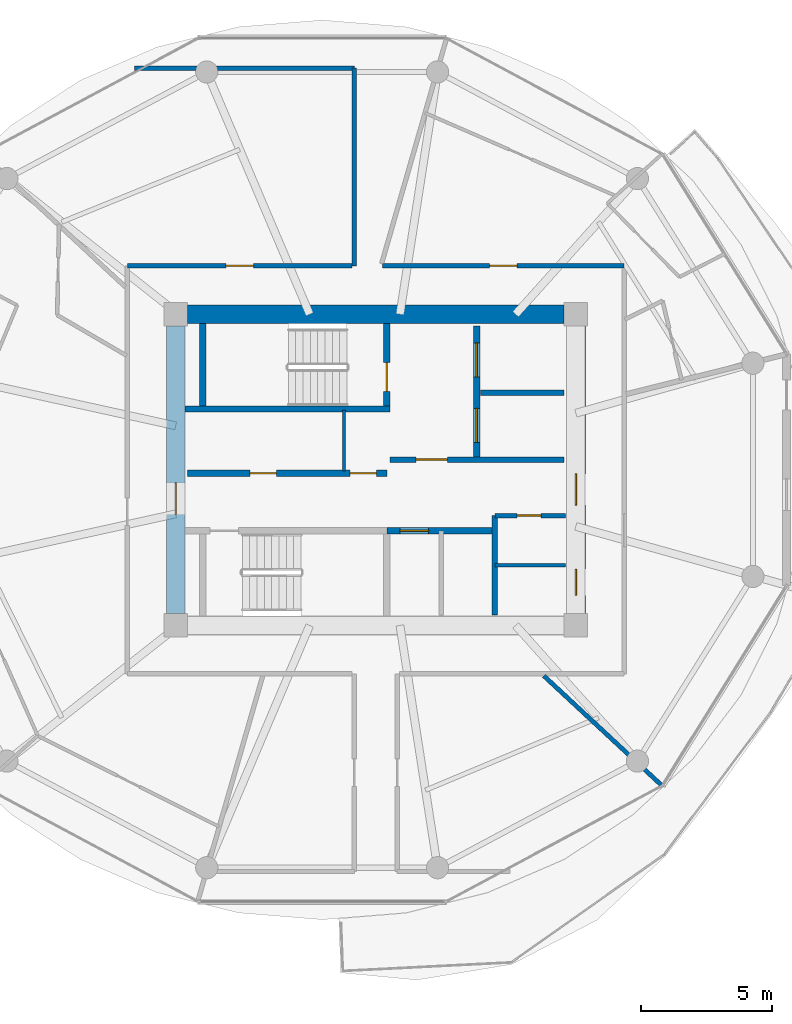
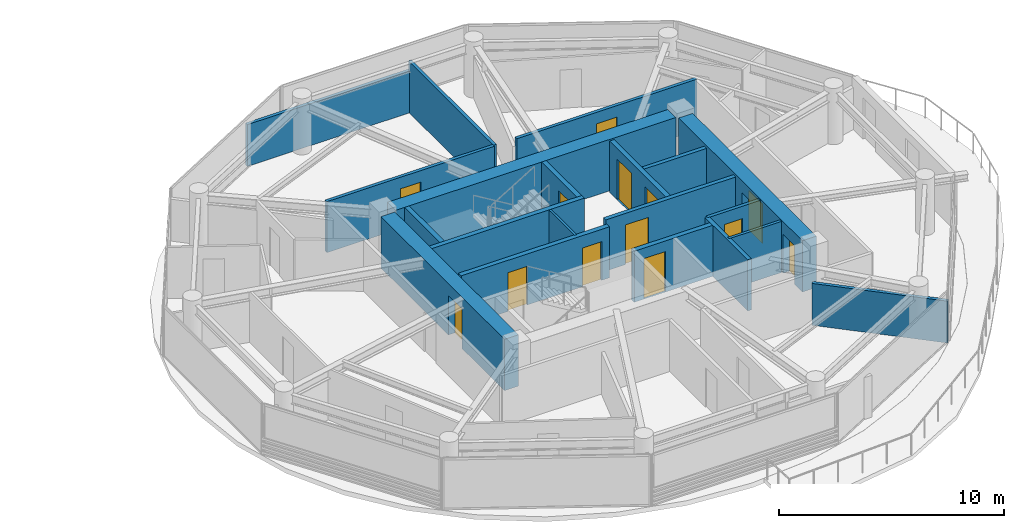
# One storey, part 16 of 23: 20 walls, 13 doors, 13 openings.
"""IFC4 building model written with IfcOpenShell, lengths in metres."""

import ifcopenshell
import ifcopenshell.guid

model = None  # the IFC model being written
_history = None  # IfcOwnerHistory: only IFC2X3 demands one
_inside = {}  # id of a spatial element -> (the spatial element, [elements in it])
_under = {}  # id of a project, library or spatial element -> (it, [spatial elements below it])
_declared = {}  # id of a project -> (the project, [libraries it declares])
_typed = {}  # id of a type object -> (the type object, [elements of that type])
_made_of = {}  # id of a material, layer set ... -> (it, [elements and type objects made of it])


def new_model(schema):
    """Start an empty IFC model of exactly this schema.

    Asked for "IFC4X3", IfcOpenShell would pick the latest addendum, in which some entities
    have other attributes; the version numbers below select the first issue.
    IFC2X3 requires an IfcOwnerHistory on every rooted entity: one is made here for all.
    """
    global model, _history
    if schema == "IFC4X3":
        model = ifcopenshell.file(schema_version=(4, 3, 0, 0))
    else:
        model = ifcopenshell.file(schema=schema)
    _inside.clear()
    _under.clear()
    _declared.clear()
    _typed.clear()
    _made_of.clear()
    _history = None
    if model.schema == "IFC2X3":
        org = make("IfcOrganization", Name="unknown")
        user = make(
            "IfcPersonAndOrganization",
            ThePerson=make("IfcPerson", FamilyName="unknown"),
            TheOrganization=org,
        )
        app = make(
            "IfcApplication",
            ApplicationDeveloper=org,
            Version="unknown",
            ApplicationFullName="unknown",
            ApplicationIdentifier="unknown",
        )
        _history = make(
            "IfcOwnerHistory",
            OwningUser=user,
            OwningApplication=app,
            ChangeAction="ADDED",
            CreationDate=0,
        )
    return model


def make(cls, **values):
    """One entity of the class cls with the attributes given. An attribute that is None is left unset."""
    return model.create_entity(
        cls, **{name: value for name, value in values.items() if value is not None}
    )


def rooted(cls, **values):
    """An entity with a GlobalId (a new one), such as an element, a storey or a relation."""
    return make(cls, GlobalId=ifcopenshell.guid.new(), OwnerHistory=_history, **values)


def si_unit(unit_type, name, prefix=None):
    """IfcSIUnit, for example si_unit("LENGTHUNIT", "METRE", prefix="MILLI")."""
    return make("IfcSIUnit", UnitType=unit_type, Prefix=prefix, Name=name)


def assignment(units):
    """IfcUnitAssignment: the units of a project."""
    return None if units is None else make("IfcUnitAssignment", Units=units)


def point(xyz):
    """IfcCartesianPoint."""
    return None if xyz is None else make("IfcCartesianPoint", Coordinates=xyz)


def direction(xyz):
    """IfcDirection."""
    return None if xyz is None else make("IfcDirection", DirectionRatios=xyz)


def frame(location, z_axis=None, x_axis=None):
    """IfcAxis2Placement3D, a coordinate frame: its origin and axes. An axis left out is left unset."""
    return make(
        "IfcAxis2Placement3D",
        Location=point(location),
        Axis=direction(z_axis),
        RefDirection=direction(x_axis),
    )


def frame_2d(location, x_axis=None):
    """IfcAxis2Placement2D, a coordinate frame in the plane: its origin and x axis."""
    return make(
        "IfcAxis2Placement2D", Location=point(location), RefDirection=direction(x_axis)
    )


def origin():
    """The frame at (0, 0, 0) with its axes left unset."""
    return frame((0.0, 0.0, 0.0))


def place(relative_to, where):
    """IfcLocalPlacement: puts the frame where relative to a parent placement (None: the world)."""
    return make(
        "IfcLocalPlacement", PlacementRelTo=relative_to, RelativePlacement=where
    )


def context(
    kind, dimensions, precision=None, world=None, true_north=None, identifier=None
):
    """IfcGeometricRepresentationContext, for example the 3D "Model" context."""
    return make(
        "IfcGeometricRepresentationContext",
        ContextIdentifier=identifier,
        ContextType=kind,
        CoordinateSpaceDimension=dimensions,
        Precision=precision,
        WorldCoordinateSystem=world,
        TrueNorth=true_north,
    )


def subcontext(parent, identifier, kind, view, scale=None):
    """IfcGeometricRepresentationSubContext, for example "Body" below "Model"."""
    return make(
        "IfcGeometricRepresentationSubContext",
        ContextIdentifier=identifier,
        ContextType=kind,
        ParentContext=parent,
        TargetScale=scale,
        TargetView=view,
    )


def project(units=None, contexts=None):
    """IfcProject with its units and contexts."""
    return rooted(
        "IfcProject",
        Name="project",
        RepresentationContexts=contexts,
        UnitsInContext=assignment(units),
    )


def spatial(cls, under=None, at=None, **own):
    """A site, building, storey or space (cls), placed at a placement, below another one or the project."""
    s = rooted(cls, ObjectPlacement=at, **own)
    if under is not None:
        _under.setdefault(under.id(), (under, []))[1].append(s)
    return s


def profile(cls, at=None, kind="AREA", **sizes):
    """A parametric profile (cls). Its sizes go by their IFC names, for example OverallWidth=200.0."""
    return make(cls, ProfileType=kind, Position=at, **sizes)


def rectangle(**sizes):
    """IfcRectangleProfileDef."""
    return profile("IfcRectangleProfileDef", **sizes)


def extrude(swept, where, along, depth):
    """IfcExtrudedAreaSolid: the profile swept, set in the frame where, extruded along a direction by depth."""
    return make(
        "IfcExtrudedAreaSolid",
        SweptArea=swept,
        Position=where,
        ExtrudedDirection=direction(along),
        Depth=depth,
    )


def shape(context_of_items, identifier, shape_type, items):
    """IfcShapeRepresentation: the items that make up one representation, for example the "Body"."""
    return make(
        "IfcShapeRepresentation",
        ContextOfItems=context_of_items,
        RepresentationIdentifier=identifier,
        RepresentationType=shape_type,
        Items=items,
    )


def source(mapping_origin, context_of_items, identifier, shape_type, items):
    """IfcRepresentationMap: a shape defined once, which mapped items show again and again."""
    return make(
        "IfcRepresentationMap",
        MappingOrigin=mapping_origin,
        MappedRepresentation=shape(context_of_items, identifier, shape_type, items),
    )


def transform(
    local_origin,
    x_axis=None,
    y_axis=None,
    z_axis=None,
    scale=None,
    scale2=None,
    scale3=None,
    uniform=True,
):
    """IfcCartesianTransformationOperator3D, or its non-uniform kind. x_axis, y_axis, z_axis: its Axis1, 2, 3."""
    if uniform:
        return make(
            "IfcCartesianTransformationOperator3D",
            Axis1=direction(x_axis),
            Axis2=direction(y_axis),
            LocalOrigin=point(local_origin),
            Scale=scale,
            Axis3=direction(z_axis),
        )
    return make(
        "IfcCartesianTransformationOperator3DnonUniform",
        Axis1=direction(x_axis),
        Axis2=direction(y_axis),
        LocalOrigin=point(local_origin),
        Scale=scale,
        Axis3=direction(z_axis),
        Scale2=scale2,
        Scale3=scale3,
    )


def mapped(mapping_source, mapping_target):
    """IfcMappedItem: shows the shape of a source again, moved by a transform."""
    return make(
        "IfcMappedItem", MappingSource=mapping_source, MappingTarget=mapping_target
    )


def material(Name=None, Category=None):
    """IfcMaterial."""
    return make("IfcMaterial", Name=Name, Category=Category)


def layer(
    of_material, thickness, ventilated=None, Name=None, Category=None, Priority=None
):
    """IfcMaterialLayer: one layer of a wall or slab, of a material (None: an air gap)."""
    return make(
        "IfcMaterialLayer",
        Material=of_material,
        LayerThickness=thickness,
        IsVentilated=ventilated,
        Name=Name,
        Category=Category,
        Priority=Priority,
    )


def layer_set(layers, Name=None):
    """IfcMaterialLayerSet."""
    return make("IfcMaterialLayerSet", MaterialLayers=layers, LayerSetName=Name)


def made_of(thing, what):
    """Note that an element or type object is made of a material, layer set ...; save() writes the relation."""
    if what is not None:
        _made_of.setdefault(what.id(), (what, []))[1].append(thing)
    return thing


def type_object(cls, material=None, **own):
    """A type object (cls), such as IfcWallType, which elements share."""
    return made_of(rooted(cls, **own), material)


def type_shapes(of_type, sources):
    """Give a type object the sources (RepresentationMaps) that its elements show as mapped items."""
    of_type.RepresentationMaps = sources


def element(
    cls,
    number,
    at=None,
    inside=None,
    cuts=None,
    type_object=None,
    material=None,
    context=None,
    identifier="Body",
    shape_type=None,
    held_by="IfcProductDefinitionShape",
    body=None,
    shapes=None,
    **own,
):
    """One element of the class cls, such as IfcWall. Its Tag is "e" and its number.

    at: its placement. inside: the storey or other place that contains it. cuts: it is an
    opening in that element (IfcRelVoidsElement). A single representation is given by context,
    identifier, shape_type and body (its items); several are given by shapes. held_by: the class
    of the entity that holds the representations. save() writes the other relations.
    """
    e = rooted(cls, Tag="e%d" % number, ObjectPlacement=at, **own)
    if body is not None:
        shapes = [shape(context, identifier, shape_type, body)]
    if shapes is not None:
        e.Representation = make(held_by, Representations=shapes)
    if inside is not None:
        _inside.setdefault(inside.id(), (inside, []))[1].append(e)
    if cuts is not None:
        rooted(
            "IfcRelVoidsElement", RelatingBuildingElement=cuts, RelatedOpeningElement=e
        )
    if type_object is not None:
        _typed.setdefault(type_object.id(), (type_object, []))[1].append(e)
    return made_of(e, material)


def fill(opening, filler):
    """IfcRelFillsElement: the door or window that sits in an opening."""
    return rooted(
        "IfcRelFillsElement",
        RelatingOpeningElement=opening,
        RelatedBuildingElement=filler,
    )


def aggregate(whole, parts):
    """IfcRelAggregates: a whole, such as a stair, and the parts it consists of."""
    return rooted("IfcRelAggregates", RelatingObject=whole, RelatedObjects=parts)


def save(model, path):
    """Write the relations noted so far, then the file.

    IfcRelAggregates (storeys below a building ...), IfcRelContainedInSpatialStructure (elements
    in a storey), IfcRelDefinesByType, IfcRelAssociatesMaterial and IfcRelDeclares: one each for
    every whole, place, type object, material and project.
    """
    for whole, parts in _under.values():
        aggregate(whole, parts)
    for where, things in _inside.values():
        rooted(
            "IfcRelContainedInSpatialStructure",
            RelatedElements=things,
            RelatingStructure=where,
        )
    for kind, things in _typed.values():
        rooted("IfcRelDefinesByType", RelatedObjects=things, RelatingType=kind)
    for what, things in _made_of.values():
        rooted("IfcRelAssociatesMaterial", RelatedObjects=things, RelatingMaterial=what)
    for by, libraries in _declared.values():
        rooted("IfcRelDeclares", RelatingContext=by, RelatedDefinitions=libraries)
    model.write(path)


model = new_model("IFC4")

# Units and contexts
model_context = context("Model", 3, precision=1e-05, world=origin(), true_north=direction((0.0, 1.0)))
body_context = subcontext(model_context, "Body", "Model", "MODEL_VIEW")
ifc_project = project(units=[si_unit("LENGTHUNIT", "METRE"), si_unit("AREAUNIT", "SQUARE_METRE"), si_unit("VOLUMEUNIT", "CUBIC_METRE"), si_unit("PLANEANGLEUNIT", "RADIAN"), si_unit("MASSUNIT", "GRAM", prefix="KILO")], contexts=[model_context])

# Site, building, storey
site_placement = place(None, origin())
site = spatial("IfcSite", under=ifc_project, at=site_placement, CompositionType="ELEMENT")
building_placement = place(site_placement, origin())
building = spatial("IfcBuilding", under=site, at=building_placement, Name="Norrkilde Senior Care Towers", CompositionType="ELEMENT")
storey_placement = place(building_placement, frame((0.0, 0.0, 93.199951171875)))
storey = spatial("IfcBuildingStorey", under=building, at=storey_placement, Name="L28", CompositionType="ELEMENT", Elevation=93.199951171875)

# Wall
ifc_material_1 = material(Name="Concrete C60/75", Category="concrete")
ifc_layer_1 = layer(ifc_material_1, 0.719970703125)
ifc_layer_set_1 = layer_set([ifc_layer_1], Name="Concrete C60/75")
wall_type_1 = type_object("IfcWallType", Name="Core Shear Wall Z2 720", PredefinedType="SHEAR", material=ifc_layer_set_1)
shared_shape_1 = source(origin(), body_context, "Body", "SweptSolid", [
    extrude(rectangle(XDim=14.39990234375, YDim=0.719970703125, at=frame_2d((7.199951171875, 0.0))), origin(), (0.0, 0.0, 1.0), 2.7900390625),
])
wall_1_placement = place(storey_placement, frame((20.800048828125, 5.949951171875, 0.0), z_axis=(0.0, 0.0, 1.0), x_axis=(1.0, 0.0, 0.0)))
element("IfcWall", 1, at=wall_1_placement, inside=storey, type_object=wall_type_1, Name="L28 Core E North Shear Wall", PredefinedType="SHEAR", context=body_context, shape_type="MappedRepresentation", body=[
    mapped(shared_shape_1, transform((0.0, 0.0, 0.0), x_axis=(1.0, 0.0, 0.0), y_axis=(0.0, 1.0, 0.0), z_axis=(0.0, 0.0, 1.0), scale=1.0)),
])

# Wall, opening, door
shared_shape_2 = source(origin(), body_context, "Body", "SweptSolid", [
    extrude(rectangle(XDim=11.0, YDim=0.719970703125, at=frame_2d((5.5, 0.0))), origin(), (0.0, 0.0, 1.0), 2.7900390625),
])
type_shapes(wall_type_1, [shared_shape_1, shared_shape_2])
wall_2_placement = place(storey_placement, frame((20.35009765625, -5.5, 0.0), z_axis=(0.0, 0.0, 1.0), x_axis=(0.0, 1.0, 0.0)))
wall_2 = element("IfcWall", 2, at=wall_2_placement, inside=storey, type_object=wall_type_1, Name="L28 Core E West Shear Wall", PredefinedType="SHEAR", context=body_context, shape_type="MappedRepresentation", body=[
    mapped(shared_shape_2, transform((0.0, 0.0, 0.0), x_axis=(1.0, 0.0, 0.0), y_axis=(0.0, 1.0, 0.0), z_axis=(0.0, 0.0, 1.0), scale=1.0)),
])
opening_1_placement = place(wall_2_placement, frame((3.800048828125, 0.0, 0.0)))
opening_1 = element("IfcOpeningElement", 3, at=opening_1_placement, cuts=wall_2, Name="Opening D-04", PredefinedType="OPENING", context=body_context, shape_type="SweptSolid", body=[
    extrude(rectangle(XDim=1.199951171875, YDim=2.14990234375, at=frame_2d((0.60009765625, 1.074951171875))), frame((0.0, 0.369873046875, 0.0), z_axis=(0.0, -1.0, 0.0), x_axis=(1.0, 0.0, 0.0)), (0.0, 0.0, 1.0), 0.739990234375),
])
ifc_material_2 = material(Name="Galvanised Painted Steel", Category="steel")
door_type_1 = type_object("IfcDoorType", Name="Firefighting Lobby Fire Door 1200x2150", OperationType="NOTDEFINED", PredefinedType="DOOR", material=ifc_material_2)
shared_shape_3 = source(origin(), body_context, "Body", "SweptSolid", [
    extrude(rectangle(XDim=1.199951171875, YDim=2.14990234375, at=frame_2d((0.60009765625, 1.074951171875))), frame((0.0, 0.02490234375, 0.0), z_axis=(0.0, -1.0, 0.0), x_axis=(1.0, 0.0, 0.0)), (0.0, 0.0, 1.0), 0.050048828125),
])
type_shapes(door_type_1, [shared_shape_3])
door_1_placement = place(opening_1_placement, frame((1.199951171875, 0.0, 0.0), z_axis=(0.0, 0.0, 1.0), x_axis=(-1.0, 0.0, 0.0)))
door_1 = element("IfcDoor", 4, at=door_1_placement, inside=storey, type_object=door_type_1, Name="L28 Core E West Portal Door", OperationType="SINGLE_SWING_LEFT", OverallHeight=2.14990234375, OverallWidth=1.199951171875, PredefinedType="DOOR", context=body_context, shape_type="MappedRepresentation", body=[
    mapped(shared_shape_3, transform((0.0, 0.0, 0.0), x_axis=(1.0, 0.0, 0.0), y_axis=(0.0, 1.0, 0.0), z_axis=(0.0, 0.0, 1.0), scale=1.0)),
])
fill(opening_1, door_1)

# Wall, openings, doors
wall_3_placement = place(storey_placement, frame((35.64990234375, 5.5, 0.0), z_axis=(0.0, 0.0, 1.0), x_axis=(0.0, -1.0, 0.0)))
wall_3 = element("IfcWall", 5, at=wall_3_placement, inside=storey, type_object=wall_type_1, Name="L28 Core E East Shear Wall", PredefinedType="SHEAR", context=body_context, shape_type="MappedRepresentation", body=[
    mapped(shared_shape_2, transform((0.0, 0.0, 0.0), x_axis=(1.0, 0.0, 0.0), y_axis=(0.0, 1.0, 0.0), z_axis=(0.0, 0.0, 1.0), scale=1.0)),
])
opening_2_placement = place(wall_3_placement, frame((5.64990234375, 0.0, 0.0)))
opening_2 = element("IfcOpeningElement", 6, at=opening_2_placement, cuts=wall_3, Name="Opening D-04", PredefinedType="OPENING", context=body_context, shape_type="SweptSolid", body=[
    extrude(rectangle(XDim=1.199951171875, YDim=2.14990234375, at=frame_2d((0.60009765625, 1.074951171875))), frame((0.0, 0.369873046875, 0.0), z_axis=(0.0, -1.0, 0.0), x_axis=(1.0, 0.0, 0.0)), (0.0, 0.0, 1.0), 0.739990234375),
])
opening_3_placement = place(wall_3_placement, frame((9.300048828125, 0.0, 0.0)))
opening_3 = element("IfcOpeningElement", 7, at=opening_3_placement, cuts=wall_3, Name="Opening D-10", PredefinedType="OPENING", context=body_context, shape_type="SweptSolid", body=[
    extrude(rectangle(XDim=1.0, YDim=2.10009765625, at=frame_2d((0.5, 1.050048828125))), frame((0.0, 0.369873046875, 0.0), z_axis=(0.0, -1.0, 0.0), x_axis=(1.0, 0.0, 0.0)), (0.0, 0.0, 1.0), 0.739990234375),
])
door_2_placement = place(opening_2_placement, frame((1.199951171875, 0.0, 0.0), z_axis=(0.0, 0.0, 1.0), x_axis=(-1.0, 0.0, 0.0)))
door_2 = element("IfcDoor", 8, at=door_2_placement, inside=storey, type_object=door_type_1, Name="L28 Core E East Portal Door", OperationType="SINGLE_SWING_RIGHT", OverallHeight=2.14990234375, OverallWidth=1.199951171875, PredefinedType="DOOR", context=body_context, shape_type="MappedRepresentation", body=[
    mapped(shared_shape_3, transform((0.0, 0.0, 0.0), x_axis=(1.0, 0.0, 0.0), y_axis=(0.0, 1.0, 0.0), z_axis=(0.0, 0.0, 1.0), scale=1.0)),
])
fill(opening_2, door_2)
door_type_2 = type_object("IfcDoorType", Name="Plant and Riser Rated Door 1000x2100", OperationType="NOTDEFINED", PredefinedType="DOOR", material=ifc_material_2)
shared_shape_4 = source(origin(), body_context, "Body", "SweptSolid", [
    extrude(rectangle(XDim=1.0, YDim=2.10009765625, at=frame_2d((0.5, 1.050048828125))), frame((0.0, 0.02490234375, 0.0), z_axis=(0.0, -1.0, 0.0), x_axis=(1.0, 0.0, 0.0)), (0.0, 0.0, 1.0), 0.050048828125),
])
type_shapes(door_type_2, [shared_shape_4])
door_3_placement = place(opening_3_placement, frame((1.0, 0.0, 0.0), z_axis=(0.0, 0.0, 1.0), x_axis=(-1.0, 0.0, 0.0)))
door_3 = element("IfcDoor", 9, at=door_3_placement, inside=storey, type_object=door_type_2, Name="L28 Ventilation Riser E Door", OperationType="SINGLE_SWING_RIGHT", OverallHeight=2.10009765625, OverallWidth=1.0, PredefinedType="DOOR", context=body_context, shape_type="MappedRepresentation", body=[
    mapped(shared_shape_4, transform((0.0, 0.0, 0.0), x_axis=(1.0, 0.0, 0.0), y_axis=(0.0, 1.0, 0.0), z_axis=(0.0, 0.0, 1.0), scale=1.0)),
])
fill(opening_3, door_3)

ifc_material_3 = material(Name="Concrete C45/55", Category="concrete")
ifc_layer_2 = layer(ifc_material_3, 0.239990234375)
ifc_layer_set_2 = layer_set([ifc_layer_2], Name="Concrete C45/55")
wall_type_2 = type_object("IfcWallType", Name="Lift and Plant Rated Enclosure Partition 240", PredefinedType="PARTITIONING", material=ifc_layer_set_2)
shared_shape_5 = source(origin(), body_context, "Body", "SweptSolid", [
    extrude(rectangle(XDim=5.0, YDim=0.239990234375, at=frame_2d((2.5, 0.0))), origin(), (0.0, 0.0, 1.0), 2.775146484375),
])
wall_4_placement = place(storey_placement, frame((31.860107421875, 0.5, 0.0), z_axis=(0.0, 0.0, 1.0), x_axis=(0.0, 1.0, 0.0)))
wall_4 = element("IfcWall", 10, at=wall_4_placement, inside=storey, type_object=wall_type_2, Name="WL-INT-L28-E-FFLE", PredefinedType="PARTITIONING", context=body_context, shape_type="MappedRepresentation", body=[
    mapped(shared_shape_5, transform((0.0, 0.0, 0.0), x_axis=(1.0, 0.0, 0.0), y_axis=(0.0, 1.0, 0.0), z_axis=(0.0, 0.0, 1.0), scale=1.0)),
])
opening_4_placement = place(wall_4_placement, frame((3.050048828125, 0.0, 0.0)))
opening_4 = element("IfcOpeningElement", 11, at=opening_4_placement, cuts=wall_4, Name="Opening LD-02", PredefinedType="OPENING", context=body_context, shape_type="SweptSolid", body=[
    extrude(rectangle(XDim=1.300048828125, YDim=2.199951171875, at=frame_2d((0.64990234375, 1.10009765625))), frame((0.0, 0.1298828125, 0.0), z_axis=(0.0, -1.0, 0.0), x_axis=(1.0, 0.0, 0.0)), (0.0, 0.0, 1.0), 0.260009765625),
])
opening_5_placement = place(wall_4_placement, frame((0.550048828125, 0.0, 0.0)))
opening_5 = element("IfcOpeningElement", 12, at=opening_5_placement, cuts=wall_4, Name="Opening LD-02", PredefinedType="OPENING", context=body_context, shape_type="SweptSolid", body=[
    extrude(rectangle(XDim=1.300048828125, YDim=2.199951171875, at=frame_2d((0.64990234375, 1.10009765625))), frame((0.0, 0.1298828125, 0.0), z_axis=(0.0, -1.0, 0.0), x_axis=(1.0, 0.0, 0.0)), (0.0, 0.0, 1.0), 0.260009765625),
])
ifc_material_4 = material(Name="Stainless Steel", Category="steel")
door_type_3 = type_object("IfcDoorType", Name="Stretcher and FFL Landing Sliding Door 1300x2200", OperationType="NOTDEFINED", PredefinedType="DOOR", material=ifc_material_4)
shared_shape_6 = source(origin(), body_context, "Body", "SweptSolid", [
    extrude(rectangle(XDim=1.300048828125, YDim=2.199951171875, at=frame_2d((0.64990234375, 1.10009765625))), frame((0.0, 0.02490234375, 0.0), z_axis=(0.0, -1.0, 0.0), x_axis=(1.0, 0.0, 0.0)), (0.0, 0.0, 1.0), 0.050048828125),
])
type_shapes(door_type_3, [shared_shape_6])
door_4_placement = place(opening_4_placement, origin())
door_4 = element("IfcDoor", 13, at=door_4_placement, inside=storey, type_object=door_type_3, Name="L28 Firefighting Lift E1 Landing Door", OperationType="SLIDING_TO_LEFT", OverallHeight=2.199951171875, OverallWidth=1.300048828125, PredefinedType="DOOR", context=body_context, shape_type="MappedRepresentation", body=[
    mapped(shared_shape_6, transform((0.0, 0.0, 0.0), x_axis=(1.0, 0.0, 0.0), y_axis=(0.0, 1.0, 0.0), z_axis=(0.0, 0.0, 1.0), scale=1.0)),
])
fill(opening_4, door_4)
door_5_placement = place(opening_5_placement, origin())
door_5 = element("IfcDoor", 14, at=door_5_placement, inside=storey, type_object=door_type_3, Name="L28 Stretcher Lift E1 Landing Door", OperationType="SLIDING_TO_RIGHT", OverallHeight=2.199951171875, OverallWidth=1.300048828125, PredefinedType="DOOR", context=body_context, shape_type="MappedRepresentation", body=[
    mapped(shared_shape_6, transform((0.0, 0.0, 0.0), x_axis=(1.0, 0.0, 0.0), y_axis=(0.0, 1.0, 0.0), z_axis=(0.0, 0.0, 1.0), scale=1.0)),
])
fill(opening_5, door_5)

# Wall
ifc_layer_3 = layer(ifc_material_3, 0.199951171875)
ifc_layer_set_3 = layer_set([ifc_layer_3], Name="Concrete C45/55")
wall_type_3 = type_object("IfcWallType", Name="Shaft Division and Plant Partition 200", PredefinedType="PARTITIONING", material=ifc_layer_set_3)
shared_shape_7 = source(origin(), body_context, "Body", "SweptSolid", [
    extrude(rectangle(XDim=3.199951171875, YDim=0.199951171875, at=frame_2d((1.60009765625, 0.0))), origin(), (0.0, 0.0, 1.0), 2.775146484375),
])
wall_5_placement = place(storey_placement, frame((32.0, 2.949951171875, 0.0), z_axis=(0.0, 0.0, 1.0), x_axis=(1.0, 0.0, 0.0)))
element("IfcWall", 15, at=wall_5_placement, inside=storey, type_object=wall_type_3, Name="WL-INT-L28-E-FFLDIV", PredefinedType="PARTITIONING", context=body_context, shape_type="MappedRepresentation", body=[
    mapped(shared_shape_7, transform((0.0, 0.0, 0.0), x_axis=(1.0, 0.0, 0.0), y_axis=(0.0, 1.0, 0.0), z_axis=(0.0, 0.0, 1.0), scale=1.0)),
])

# Wall, opening, door
ifc_layer_4 = layer(ifc_material_3, 0.2099609375)
ifc_layer_set_4 = layer_set([ifc_layer_4], Name="Concrete C45/55")
wall_type_4 = type_object("IfcWallType", Name="Firefighting Lobby Wall 210", PredefinedType="PARTITIONING", material=ifc_layer_set_4)
shared_shape_8 = source(origin(), body_context, "Body", "SweptSolid", [
    extrude(rectangle(XDim=6.659912109375, YDim=0.2099609375, at=frame_2d((3.330078125, 0.0))), origin(), (0.0, 0.0, 1.0), 2.775146484375),
])
type_shapes(wall_type_4, [shared_shape_8])
wall_6_placement = place(storey_placement, frame((28.5400390625, 0.389892578125, 0.0), z_axis=(0.0, 0.0, 1.0), x_axis=(1.0, 0.0, 0.0)))
wall_6 = element("IfcWall", 16, at=wall_6_placement, inside=storey, type_object=wall_type_4, Name="WL-INT-L28-E-FFLS", PredefinedType="PARTITIONING", context=body_context, shape_type="MappedRepresentation", body=[
    mapped(shared_shape_8, transform((0.0, 0.0, 0.0), x_axis=(1.0, 0.0, 0.0), y_axis=(0.0, 1.0, 0.0), z_axis=(0.0, 0.0, 1.0), scale=1.0)),
])
opening_6_placement = place(wall_6_placement, frame((1.0, 0.0, 0.0)))
opening_6 = element("IfcOpeningElement", 17, at=opening_6_placement, cuts=wall_6, Name="Opening D-04", PredefinedType="OPENING", context=body_context, shape_type="SweptSolid", body=[
    extrude(rectangle(XDim=1.199951171875, YDim=2.14990234375, at=frame_2d((0.60009765625, 1.074951171875))), frame((0.0, 0.114990234375, 0.0), z_axis=(0.0, -1.0, 0.0), x_axis=(1.0, 0.0, 0.0)), (0.0, 0.0, 1.0), 0.22998046875),
])
door_6_placement = place(opening_6_placement, frame((1.199951171875, 0.0, 0.0), z_axis=(0.0, 0.0, 1.0), x_axis=(-1.0, 0.0, 0.0)))
door_6 = element("IfcDoor", 18, at=door_6_placement, inside=storey, type_object=door_type_1, Name="L28 Firefighting Lobby E Door", OperationType="SINGLE_SWING_LEFT", OverallHeight=2.14990234375, OverallWidth=1.199951171875, PredefinedType="DOOR", context=body_context, shape_type="MappedRepresentation", body=[
    mapped(shared_shape_3, transform((0.0, 0.0, 0.0), x_axis=(1.0, 0.0, 0.0), y_axis=(0.0, 1.0, 0.0), z_axis=(0.0, 0.0, 1.0), scale=1.0)),
])
fill(opening_6, door_6)

# Wall, openings, doors
shared_shape_9 = source(origin(), body_context, "Body", "SweptSolid", [
    extrude(rectangle(XDim=7.619873046875, YDim=0.239990234375, at=frame_2d((3.81005859375, 0.0))), origin(), (0.0, 0.0, 1.0), 2.775146484375),
])
wall_7_placement = place(storey_placement, frame((20.800048828125, -0.1298828125, 0.0), z_axis=(0.0, 0.0, 1.0), x_axis=(1.0, 0.0, 0.0)))
wall_7 = element("IfcWall", 19, at=wall_7_placement, inside=storey, type_object=wall_type_2, Name="WL-INT-L28-E-PKAS", PredefinedType="PARTITIONING", context=body_context, shape_type="MappedRepresentation", body=[
    mapped(shared_shape_9, transform((0.0, 0.0, 0.0), x_axis=(1.0, 0.0, 0.0), y_axis=(0.0, 1.0, 0.0), z_axis=(0.0, 0.0, 1.0), scale=1.0)),
])
opening_7_placement = place(wall_7_placement, frame((6.219970703125, 0.0, 0.0)))
opening_7 = element("IfcOpeningElement", 20, at=opening_7_placement, cuts=wall_7, Name="Opening D-10", PredefinedType="OPENING", context=body_context, shape_type="SweptSolid", body=[
    extrude(rectangle(XDim=1.0, YDim=2.10009765625, at=frame_2d((0.5, 1.050048828125))), frame((0.0, 0.1298828125, 0.0), z_axis=(0.0, -1.0, 0.0), x_axis=(1.0, 0.0, 0.0)), (0.0, 0.0, 1.0), 0.260009765625),
])
opening_8_placement = place(wall_7_placement, frame((2.39990234375, 0.0, 0.0)))
opening_8 = element("IfcOpeningElement", 21, at=opening_8_placement, cuts=wall_7, Name="Opening D-10", PredefinedType="OPENING", context=body_context, shape_type="SweptSolid", body=[
    extrude(rectangle(XDim=1.0, YDim=2.10009765625, at=frame_2d((0.5, 1.050048828125))), frame((0.0, 0.1298828125, 0.0), z_axis=(0.0, -1.0, 0.0), x_axis=(1.0, 0.0, 0.0)), (0.0, 0.0, 1.0), 0.260009765625),
])
door_7_placement = place(opening_7_placement, frame((1.0, 0.0, 0.0), z_axis=(0.0, 0.0, 1.0), x_axis=(-1.0, 0.0, 0.0)))
door_7 = element("IfcDoor", 22, at=door_7_placement, inside=storey, type_object=door_type_2, Name="L28 Electrical Riser E Door", OperationType="SINGLE_SWING_LEFT", OverallHeight=2.10009765625, OverallWidth=1.0, PredefinedType="DOOR", context=body_context, shape_type="MappedRepresentation", body=[
    mapped(shared_shape_4, transform((0.0, 0.0, 0.0), x_axis=(1.0, 0.0, 0.0), y_axis=(0.0, 1.0, 0.0), z_axis=(0.0, 0.0, 1.0), scale=1.0)),
])
fill(opening_7, door_7)
door_8_placement = place(opening_8_placement, frame((1.0, 0.0, 0.0), z_axis=(0.0, 0.0, 1.0), x_axis=(-1.0, 0.0, 0.0)))
door_8 = element("IfcDoor", 23, at=door_8_placement, inside=storey, type_object=door_type_2, Name="L28 Clean Supply Store E Door", OperationType="SINGLE_SWING_LEFT", OverallHeight=2.10009765625, OverallWidth=1.0, PredefinedType="DOOR", context=body_context, shape_type="MappedRepresentation", body=[
    mapped(shared_shape_4, transform((0.0, 0.0, 0.0), x_axis=(1.0, 0.0, 0.0), y_axis=(0.0, 1.0, 0.0), z_axis=(0.0, 0.0, 1.0), scale=1.0)),
])
fill(opening_8, door_8)

# Walls
ifc_material_5 = material(Name="Gypsum Acoustic Board")
ifc_layer_5 = layer(ifc_material_5, 0.114990234375)
ifc_layer_set_5 = layer_set([ifc_layer_5], Name="Gypsum Acoustic Board")
wall_type_5 = type_object("IfcWallType", Name="Internal Room Partition 115", PredefinedType="PARTITIONING", material=ifc_layer_set_5)
shared_shape_10 = source(origin(), body_context, "Body", "SweptSolid", [
    extrude(rectangle(XDim=2.330078125, YDim=0.114990234375, at=frame_2d((1.1650390625, 0.0))), origin(), (0.0, 0.0, 1.0), 2.775146484375),
])
type_shapes(wall_type_5, [shared_shape_10])
wall_8_placement = place(storey_placement, frame((26.7900390625, -0.050048828125, 0.0), z_axis=(0.0, 0.0, 1.0), x_axis=(0.0, 1.0, 0.0)))
element("IfcWall", 24, at=wall_8_placement, inside=storey, type_object=wall_type_5, Name="WL-INT-L28-E-RISW", PredefinedType="PARTITIONING", context=body_context, shape_type="MappedRepresentation", body=[
    mapped(shared_shape_10, transform((0.0, 0.0, 0.0), x_axis=(1.0, 0.0, 0.0), y_axis=(0.0, 1.0, 0.0), z_axis=(0.0, 0.0, 1.0), scale=1.0)),
])
shared_shape_11 = source(origin(), body_context, "Body", "SweptSolid", [
    extrude(rectangle(XDim=3.800048828125, YDim=0.199951171875, at=frame_2d((1.89990234375, 0.0))), origin(), (0.0, 0.0, 1.0), 2.775146484375),
])
type_shapes(wall_type_3, [shared_shape_7, shared_shape_11])
wall_9_placement = place(storey_placement, frame((32.550048828125, -5.550048828125, 0.0), z_axis=(0.0, 0.0, 1.0), x_axis=(0.0, 1.0, 0.0)))
element("IfcWall", 25, at=wall_9_placement, inside=storey, type_object=wall_type_3, Name="WL-INT-L28-E-PKBE", PredefinedType="PARTITIONING", context=body_context, shape_type="MappedRepresentation", body=[
    mapped(shared_shape_11, transform((0.0, 0.0, 0.0), x_axis=(1.0, 0.0, 0.0), y_axis=(0.0, 1.0, 0.0), z_axis=(0.0, 0.0, 1.0), scale=1.0)),
])

# Wall, opening, door
shared_shape_12 = source(origin(), body_context, "Body", "SweptSolid", [
    extrude(rectangle(XDim=4.130126953125, YDim=0.239990234375, at=frame_2d((2.06494140625, 0.0))), origin(), (0.0, 0.0, 1.0), 2.775146484375),
])
type_shapes(wall_type_2, [shared_shape_5, shared_shape_9, shared_shape_12])
wall_10_placement = place(storey_placement, frame((28.419921875, -2.330078125, 0.0), z_axis=(0.0, 0.0, 1.0), x_axis=(1.0, 0.0, 0.0)))
wall_10 = element("IfcWall", 26, at=wall_10_placement, inside=storey, type_object=wall_type_2, Name="WL-INT-L28-E-PKBN", PredefinedType="PARTITIONING", context=body_context, shape_type="MappedRepresentation", body=[
    mapped(shared_shape_12, transform((0.0, 0.0, 0.0), x_axis=(1.0, 0.0, 0.0), y_axis=(0.0, 1.0, 0.0), z_axis=(0.0, 0.0, 1.0), scale=1.0)),
])
opening_9_placement = place(wall_10_placement, frame((0.5, 0.0, 0.0)))
opening_9 = element("IfcOpeningElement", 27, at=opening_9_placement, cuts=wall_10, Name="Opening LD-01", PredefinedType="OPENING", context=body_context, shape_type="SweptSolid", body=[
    extrude(rectangle(XDim=1.10009765625, YDim=2.199951171875, at=frame_2d((0.550048828125, 1.10009765625))), frame((0.0, 0.1298828125, 0.0), z_axis=(0.0, -1.0, 0.0), x_axis=(1.0, 0.0, 0.0)), (0.0, 0.0, 1.0), 0.260009765625),
])
door_type_4 = type_object("IfcDoorType", Name="Lift Landing Sliding Door 1100x2200", OperationType="NOTDEFINED", PredefinedType="DOOR", material=ifc_material_4)
shared_shape_13 = source(origin(), body_context, "Body", "SweptSolid", [
    extrude(rectangle(XDim=1.10009765625, YDim=2.199951171875, at=frame_2d((0.550048828125, 1.10009765625))), frame((0.0, 0.02490234375, 0.0), z_axis=(0.0, -1.0, 0.0), x_axis=(1.0, 0.0, 0.0)), (0.0, 0.0, 1.0), 0.050048828125),
])
type_shapes(door_type_4, [shared_shape_13])
door_9_placement = place(opening_9_placement, frame((1.10009765625, 0.0, 0.0), z_axis=(0.0, 0.0, 1.0), x_axis=(-1.0, 0.0, 0.0)))
door_9 = element("IfcDoor", 28, at=door_9_placement, inside=storey, type_object=door_type_4, Name="L28 Passenger Lift E3 Landing Door", OperationType="SLIDING_TO_LEFT", OverallHeight=2.199951171875, OverallWidth=1.10009765625, PredefinedType="DOOR", context=body_context, shape_type="MappedRepresentation", body=[
    mapped(shared_shape_13, transform((0.0, 0.0, 0.0), x_axis=(1.0, 0.0, 0.0), y_axis=(0.0, 1.0, 0.0), z_axis=(0.0, 0.0, 1.0), scale=1.0)),
])
fill(opening_9, door_9)

ifc_layer_6 = layer(ifc_material_5, 0.1650390625)
ifc_layer_set_6 = layer_set([ifc_layer_6], Name="Gypsum Acoustic Board")
wall_type_6 = type_object("IfcWallType", Name="Corridor Rated Partition 165", PredefinedType="PARTITIONING", material=ifc_layer_set_6)
shared_shape_14 = source(origin(), body_context, "Body", "SweptSolid", [
    extrude(rectangle(XDim=2.699951171875, YDim=0.1650390625, at=frame_2d((1.35009765625, 0.0))), origin(), (0.0, 0.0, 1.0), 2.775146484375),
])
wall_11_placement = place(storey_placement, frame((32.550048828125, -1.75, 0.0), z_axis=(0.0, 0.0, 1.0), x_axis=(1.0, 0.0, 0.0)))
wall_11 = element("IfcWall", 29, at=wall_11_placement, inside=storey, type_object=wall_type_6, Name="WL-INT-L28-E-CSN", PredefinedType="PARTITIONING", context=body_context, shape_type="MappedRepresentation", body=[
    mapped(shared_shape_14, transform((0.0, 0.0, 0.0), x_axis=(1.0, 0.0, 0.0), y_axis=(0.0, 1.0, 0.0), z_axis=(0.0, 0.0, 1.0), scale=1.0)),
])
opening_10_placement = place(wall_11_placement, frame((0.85009765625, 0.0, 0.0)))
opening_10 = element("IfcOpeningElement", 30, at=opening_10_placement, cuts=wall_11, Name="Opening D-12", PredefinedType="OPENING", context=body_context, shape_type="SweptSolid", body=[
    extrude(rectangle(XDim=0.925048828125, YDim=2.10009765625, at=frame_2d((0.46240234375, 1.050048828125))), frame((0.0, 0.092529296875, 0.0), z_axis=(0.0, -1.0, 0.0), x_axis=(1.0, 0.0, 0.0)), (0.0, 0.0, 1.0), 0.18505859375),
])
door_type_5 = type_object("IfcDoorType", Name="Core Wet Room Rated Door 925x2100", OperationType="NOTDEFINED", PredefinedType="DOOR", material=ifc_material_2)
shared_shape_15 = source(origin(), body_context, "Body", "SweptSolid", [
    extrude(rectangle(XDim=0.925048828125, YDim=2.10009765625, at=frame_2d((0.46240234375, 1.050048828125))), frame((0.0, 0.02490234375, 0.0), z_axis=(0.0, -1.0, 0.0), x_axis=(1.0, 0.0, 0.0)), (0.0, 0.0, 1.0), 0.050048828125),
])
type_shapes(door_type_5, [shared_shape_15])
door_10_placement = place(opening_10_placement, origin())
door_10 = element("IfcDoor", 31, at=door_10_placement, inside=storey, type_object=door_type_5, Name="L28 Staff WC E Door", OperationType="SINGLE_SWING_LEFT", OverallHeight=2.10009765625, OverallWidth=0.925048828125, PredefinedType="DOOR", context=body_context, shape_type="MappedRepresentation", body=[
    mapped(shared_shape_15, transform((0.0, 0.0, 0.0), x_axis=(1.0, 0.0, 0.0), y_axis=(0.0, 1.0, 0.0), z_axis=(0.0, 0.0, 1.0), scale=1.0)),
])
fill(opening_10, door_10)

# Walls
ifc_layer_7 = layer(ifc_material_5, 0.139892578125)
ifc_layer_set_7 = layer_set([ifc_layer_7], Name="Gypsum Acoustic Board")
wall_type_7 = type_object("IfcWallType", Name="En-suite Wet Room Wall 140", PredefinedType="PARTITIONING", material=ifc_layer_set_7)
shared_shape_16 = source(origin(), body_context, "Body", "SweptSolid", [
    extrude(rectangle(XDim=2.699951171875, YDim=0.139892578125, at=frame_2d((1.35009765625, 0.0))), origin(), (0.0, 0.0, 1.0), 2.775146484375),
])
type_shapes(wall_type_7, [shared_shape_16])
wall_12_placement = place(storey_placement, frame((32.550048828125, -3.64990234375, 0.0), z_axis=(0.0, 0.0, 1.0), x_axis=(1.0, 0.0, 0.0)))
element("IfcWall", 32, at=wall_12_placement, inside=storey, type_object=wall_type_7, Name="WL-INT-L28-E-CS2H", PredefinedType="PARTITIONING", context=body_context, shape_type="MappedRepresentation", body=[
    mapped(shared_shape_16, transform((0.0, 0.0, 0.0), x_axis=(1.0, 0.0, 0.0), y_axis=(0.0, 1.0, 0.0), z_axis=(0.0, 0.0, 1.0), scale=1.0)),
])
ifc_layer_8 = layer(ifc_material_3, 0.239990234375)
ifc_layer_set_8 = layer_set([ifc_layer_8], Name="Concrete C45/55")
wall_type_8 = type_object("IfcWallType", Name="Shaft and Stair Enclosure Wall 240", PredefinedType="PARTITIONING", material=ifc_layer_set_8)
shared_shape_17 = source(origin(), body_context, "Body", "SweptSolid", [
    extrude(rectangle(XDim=7.830078125, YDim=0.239990234375, at=frame_2d((3.9150390625, 0.0))), origin(), (0.0, 0.0, 1.0), 2.7900390625),
])
wall_13_placement = place(storey_placement, frame((20.7099609375, 2.330078125, 0.0), z_axis=(0.0, 0.0, 1.0), x_axis=(1.0, 0.0, 0.0)))
element("IfcWall", 33, at=wall_13_placement, inside=storey, type_object=wall_type_8, Name="WL-INT-L28-E-ST1S", PredefinedType="PARTITIONING", context=body_context, shape_type="MappedRepresentation", body=[
    mapped(shared_shape_17, transform((0.0, 0.0, 0.0), x_axis=(1.0, 0.0, 0.0), y_axis=(0.0, 1.0, 0.0), z_axis=(0.0, 0.0, 1.0), scale=1.0)),
])
shared_shape_18 = source(origin(), body_context, "Body", "SweptSolid", [
    extrude(rectangle(XDim=3.14013671875, YDim=0.239990234375, at=frame_2d((1.570068359375, 0.0))), origin(), (0.0, 0.0, 1.0), 2.7900390625),
])
type_shapes(wall_type_8, [shared_shape_17, shared_shape_18])
wall_14_placement = place(storey_placement, frame((21.3798828125, 2.449951171875, 0.0), z_axis=(0.0, 0.0, 1.0), x_axis=(0.0, 1.0, 0.0)))
element("IfcWall", 34, at=wall_14_placement, inside=storey, type_object=wall_type_8, Name="WL-INT-L28-E-ST1W", PredefinedType="PARTITIONING", context=body_context, shape_type="MappedRepresentation", body=[
    mapped(shared_shape_18, transform((0.0, 0.0, 0.0), x_axis=(1.0, 0.0, 0.0), y_axis=(0.0, 1.0, 0.0), z_axis=(0.0, 0.0, 1.0), scale=1.0)),
])

# Wall, opening, door
wall_15_placement = place(storey_placement, frame((28.419921875, 2.449951171875, 0.0), z_axis=(0.0, 0.0, 1.0), x_axis=(0.0, 1.0, 0.0)))
wall_15 = element("IfcWall", 35, at=wall_15_placement, inside=storey, type_object=wall_type_8, Name="WL-INT-L28-E-ST1E", PredefinedType="PARTITIONING", context=body_context, shape_type="MappedRepresentation", body=[
    mapped(shared_shape_18, transform((0.0, 0.0, 0.0), x_axis=(1.0, 0.0, 0.0), y_axis=(0.0, 1.0, 0.0), z_axis=(0.0, 0.0, 1.0), scale=1.0)),
])
opening_11_placement = place(wall_15_placement, frame((0.550048828125, 0.0, 0.0)))
opening_11 = element("IfcOpeningElement", 36, at=opening_11_placement, cuts=wall_15, Name="Opening D-03", PredefinedType="OPENING", context=body_context, shape_type="SweptSolid", body=[
    extrude(rectangle(XDim=1.10009765625, YDim=2.14990234375, at=frame_2d((0.550048828125, 1.074951171875))), frame((0.0, 0.1298828125, 0.0), z_axis=(0.0, -1.0, 0.0), x_axis=(1.0, 0.0, 0.0)), (0.0, 0.0, 1.0), 0.260009765625),
])
door_type_6 = type_object("IfcDoorType", Name="Stairwell Protected Fire Door 1100x2150", OperationType="NOTDEFINED", PredefinedType="DOOR", material=ifc_material_2)
shared_shape_19 = source(origin(), body_context, "Body", "SweptSolid", [
    extrude(rectangle(XDim=1.10009765625, YDim=2.14990234375, at=frame_2d((0.550048828125, 1.074951171875))), frame((0.0, 0.02490234375, 0.0), z_axis=(0.0, -1.0, 0.0), x_axis=(1.0, 0.0, 0.0)), (0.0, 0.0, 1.0), 0.050048828125),
])
type_shapes(door_type_6, [shared_shape_19])
door_11_placement = place(opening_11_placement, origin())
door_11 = element("IfcDoor", 37, at=door_11_placement, inside=storey, type_object=door_type_6, Name="L28 Stair E1 Fire Door", OperationType="SINGLE_SWING_LEFT", OverallHeight=2.14990234375, OverallWidth=1.10009765625, PredefinedType="DOOR", context=body_context, shape_type="MappedRepresentation", body=[
    mapped(shared_shape_19, transform((0.0, 0.0, 0.0), x_axis=(1.0, 0.0, 0.0), y_axis=(0.0, 1.0, 0.0), z_axis=(0.0, 0.0, 1.0), scale=1.0)),
])
fill(opening_11, door_11)

shared_shape_20 = source(origin(), body_context, "Body", "SweptSolid", [
    extrude(rectangle(XDim=8.60009765625, YDim=0.1650390625, at=frame_2d((4.300048828125, 0.0))), origin(), (0.0, 0.0, 1.0), 2.775146484375),
])
wall_16_placement = place(storey_placement, frame((18.5, 7.800048828125, 0.0), z_axis=(0.0, 0.0, 1.0), x_axis=(1.0, 0.0, 0.0)))
wall_16 = element("IfcWall", 38, at=wall_16_placement, inside=storey, type_object=wall_type_6, Name="WL-INT-L28-E-CRW-N-0", PredefinedType="PARTITIONING", context=body_context, shape_type="MappedRepresentation", body=[
    mapped(shared_shape_20, transform((0.0, 0.0, 0.0), x_axis=(1.0, 0.0, 0.0), y_axis=(0.0, 1.0, 0.0), z_axis=(0.0, 0.0, 1.0), scale=1.0)),
])
opening_12_placement = place(wall_16_placement, frame((3.77490234375, 0.0, 0.0)))
opening_12 = element("IfcOpeningElement", 39, at=opening_12_placement, cuts=wall_16, Name="Opening D-06", PredefinedType="OPENING", context=body_context, shape_type="SweptSolid", body=[
    extrude(rectangle(XDim=1.050048828125, YDim=2.14990234375, at=frame_2d((0.52490234375, 1.074951171875))), frame((0.0, 0.092529296875, 0.0), z_axis=(0.0, -1.0, 0.0), x_axis=(1.0, 0.0, 0.0)), (0.0, 0.0, 1.0), 0.18505859375),
])
ifc_material_6 = material(Name="Nordic Ash Timber", Category="wood")
door_type_7 = type_object("IfcDoorType", Name="Apartment Entrance Fire Door 1050x2150", OperationType="NOTDEFINED", PredefinedType="DOOR", material=ifc_material_6)
shared_shape_21 = source(origin(), body_context, "Body", "SweptSolid", [
    extrude(rectangle(XDim=1.050048828125, YDim=2.14990234375, at=frame_2d((0.52490234375, 1.074951171875))), frame((0.0, 0.02490234375, 0.0), z_axis=(0.0, -1.0, 0.0), x_axis=(1.0, 0.0, 0.0)), (0.0, 0.0, 1.0), 0.050048828125),
])
type_shapes(door_type_7, [shared_shape_21])
door_12_placement = place(opening_12_placement, frame((1.050048828125, 0.0, 0.0), z_axis=(0.0, 0.0, 1.0), x_axis=(-1.0, 0.0, 0.0)))
door_12 = element("IfcDoor", 40, at=door_12_placement, inside=storey, type_object=door_type_7, Name="L28 Reading Lounge NWL Door", OperationType="SINGLE_SWING_RIGHT", OverallHeight=2.14990234375, OverallWidth=1.050048828125, PredefinedType="DOOR", context=body_context, shape_type="MappedRepresentation", body=[
    mapped(shared_shape_21, transform((0.0, 0.0, 0.0), x_axis=(1.0, 0.0, 0.0), y_axis=(0.0, 1.0, 0.0), z_axis=(0.0, 0.0, 1.0), scale=1.0)),
])
fill(opening_12, door_12)

shared_shape_22 = source(origin(), body_context, "Body", "SweptSolid", [
    extrude(rectangle(XDim=9.234130859375, YDim=0.1650390625, at=frame_2d((4.6171875, 0.0))), origin(), (0.0, 0.0, 1.0), 2.775146484375),
])
wall_17_placement = place(storey_placement, frame((28.265869140625, 7.800048828125, 0.0), z_axis=(0.0, 0.0, 1.0), x_axis=(1.0, 0.0, 0.0)))
wall_17 = element("IfcWall", 41, at=wall_17_placement, inside=storey, type_object=wall_type_6, Name="WL-INT-L28-E-CRW-N-1", PredefinedType="PARTITIONING", context=body_context, shape_type="MappedRepresentation", body=[
    mapped(shared_shape_22, transform((0.0, 0.0, 0.0), x_axis=(1.0, 0.0, 0.0), y_axis=(0.0, 1.0, 0.0), z_axis=(0.0, 0.0, 1.0), scale=1.0)),
])
opening_13_placement = place(wall_17_placement, frame((4.092041015625, 0.0, 0.0)))
opening_13 = element("IfcOpeningElement", 42, at=opening_13_placement, cuts=wall_17, Name="Opening D-06", PredefinedType="OPENING", context=body_context, shape_type="SweptSolid", body=[
    extrude(rectangle(XDim=1.050048828125, YDim=2.14990234375, at=frame_2d((0.52490234375, 1.074951171875))), frame((0.0, 0.092529296875, 0.0), z_axis=(0.0, -1.0, 0.0), x_axis=(1.0, 0.0, 0.0)), (0.0, 0.0, 1.0), 0.18505859375),
])
door_13_placement = place(opening_13_placement, frame((1.050048828125, 0.0, 0.0), z_axis=(0.0, 0.0, 1.0), x_axis=(-1.0, 0.0, 0.0)))
door_13 = element("IfcDoor", 43, at=door_13_placement, inside=storey, type_object=door_type_7, Name="Apartment 28C Entrance Door", OperationType="SINGLE_SWING_LEFT", OverallHeight=2.14990234375, OverallWidth=1.050048828125, PredefinedType="DOOR", context=body_context, shape_type="MappedRepresentation", body=[
    mapped(shared_shape_21, transform((0.0, 0.0, 0.0), x_axis=(1.0, 0.0, 0.0), y_axis=(0.0, 1.0, 0.0), z_axis=(0.0, 0.0, 1.0), scale=1.0)),
])
fill(opening_13, door_13)

# Walls
shared_shape_23 = source(origin(), body_context, "Body", "SweptSolid", [
    extrude(rectangle(XDim=6.186767578125, YDim=0.1650390625, at=frame_2d((3.09326171875, 0.0))), origin(), (0.0, 0.0, 1.0), 2.275146484375),
])
wall_18_placement = place(storey_placement, frame((34.428955078125, -7.8798828125, 0.0), z_axis=(0.0, 0.0, 1.0), x_axis=(0.732501077882, -0.680765870841, 0.0)))
element("IfcWall", 44, at=wall_18_placement, inside=storey, type_object=wall_type_6, Name="WL-INT-L28-E-DEM-10-0", PredefinedType="PARTITIONING", context=body_context, shape_type="MappedRepresentation", body=[
    mapped(shared_shape_23, transform((0.0, 0.0, 0.0), x_axis=(1.0, 0.0, 0.0), y_axis=(0.0, 1.0, 0.0), z_axis=(0.0, 0.0, 1.0), scale=1.0)),
])
shared_shape_24 = source(origin(), body_context, "Body", "SweptSolid", [
    extrude(rectangle(XDim=7.56005859375, YDim=0.1650390625, at=frame_2d((3.780029296875, 0.0))), origin(), (0.0, 0.0, 1.0), 2.775146484375),
])
wall_19_placement = place(storey_placement, frame((27.179931640625, 7.800048828125, 0.0), z_axis=(0.0, 0.0, 1.0), x_axis=(0.0, 1.0, 0.0)))
element("IfcWall", 45, at=wall_19_placement, inside=storey, type_object=wall_type_6, Name="WL-INT-L28-E-PKW-NWL", PredefinedType="PARTITIONING", context=body_context, shape_type="MappedRepresentation", body=[
    mapped(shared_shape_24, transform((0.0, 0.0, 0.0), x_axis=(1.0, 0.0, 0.0), y_axis=(0.0, 1.0, 0.0), z_axis=(0.0, 0.0, 1.0), scale=1.0)),
])
shared_shape_25 = source(origin(), body_context, "Body", "SweptSolid", [
    extrude(rectangle(XDim=8.406982421875, YDim=0.1650390625, at=frame_2d((4.20361328125, 0.0))), origin(), (0.0, 0.0, 1.0), 2.275146484375),
])
type_shapes(wall_type_6, [shared_shape_14, shared_shape_20, shared_shape_22, shared_shape_23, shared_shape_24, shared_shape_25])
wall_20_placement = place(storey_placement, frame((18.77294921875, 15.360107421875, 0.0), z_axis=(0.0, 0.0, 1.0), x_axis=(1.0, 0.0, 0.0)))
element("IfcWall", 46, at=wall_20_placement, inside=storey, type_object=wall_type_6, Name="WL-INT-L28-E-PKH-NWL-0", PredefinedType="PARTITIONING", context=body_context, shape_type="MappedRepresentation", body=[
    mapped(shared_shape_25, transform((0.0, 0.0, 0.0), x_axis=(1.0, 0.0, 0.0), y_axis=(0.0, 1.0, 0.0), z_axis=(0.0, 0.0, 1.0), scale=1.0)),
])

save(model, "model.ifc")
